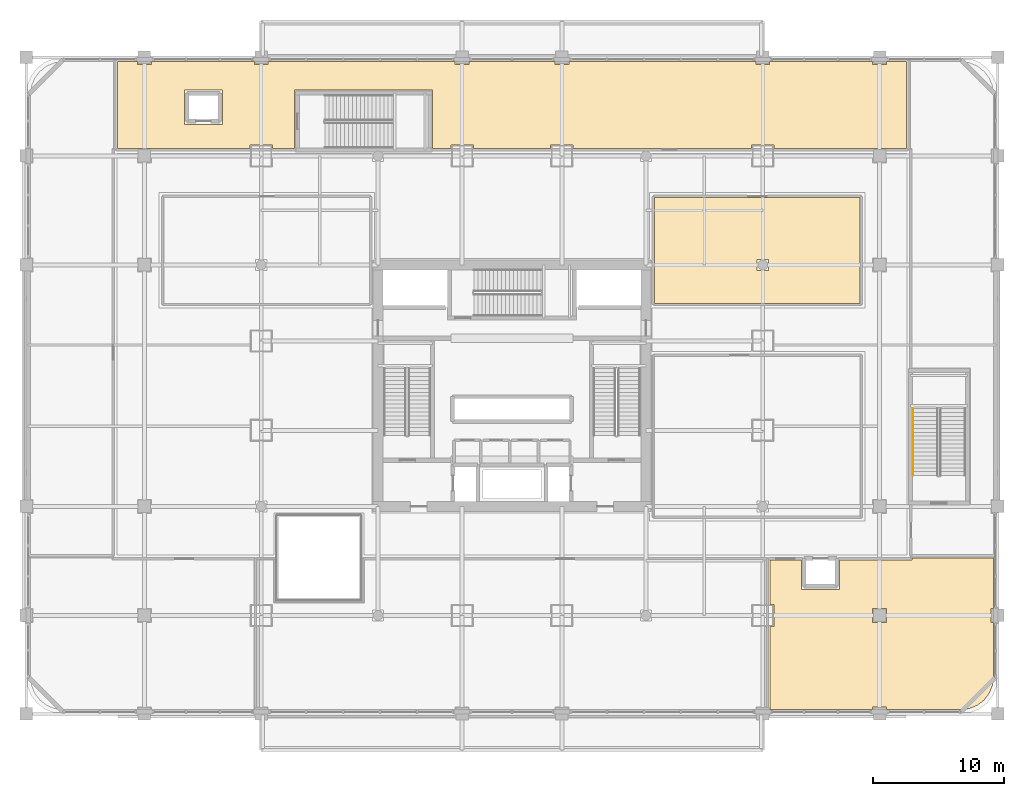
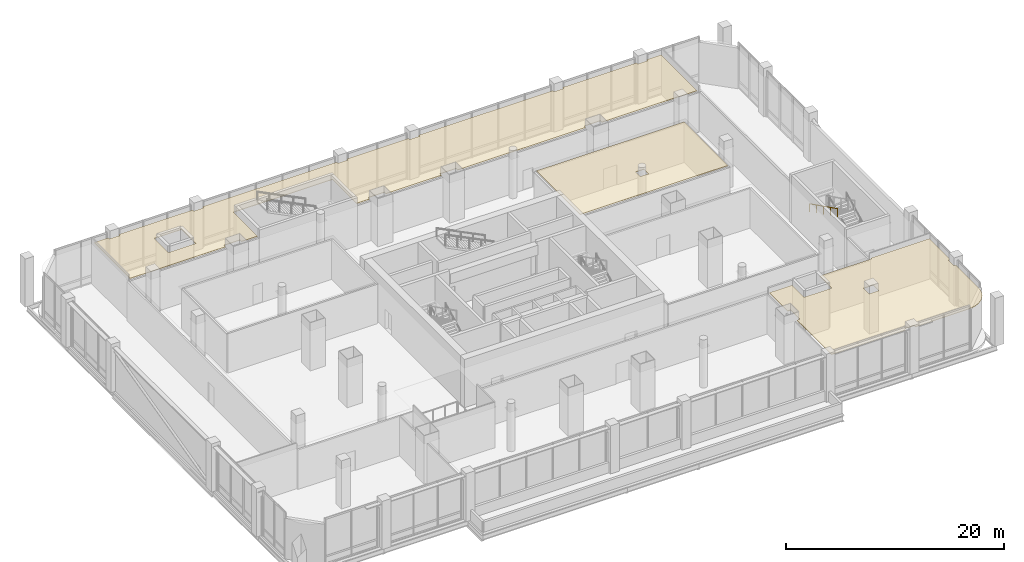
# One storey, part 41 of 43: 3 coverings, 1 railing.
"""IFC4 building model written with IfcOpenShell, lengths in metres."""

from ifc_helpers import new_model, si_unit, direction, frame, origin, origin_2d, place, context, subcontext, project, spatial, polyline, circle, outline, extrude, material, layer, layer_set, type_object, element, save


model = new_model("IFC4")

# Units and contexts
model_context = context("Model", 3, precision=1e-05, world=origin(), true_north=direction((0.0, 1.0)))
body_context = subcontext(model_context, "Body", "Model", "MODEL_VIEW")
ifc_project = project(units=[si_unit("LENGTHUNIT", "METRE"), si_unit("AREAUNIT", "SQUARE_METRE"), si_unit("VOLUMEUNIT", "CUBIC_METRE"), si_unit("PLANEANGLEUNIT", "RADIAN"), si_unit("MASSUNIT", "GRAM", prefix="KILO")], contexts=[model_context])

# Site, building, storey
site_placement = place(None, origin())
site = spatial("IfcSite", under=ifc_project, at=site_placement, CompositionType="ELEMENT")
building_placement = place(site_placement, origin())
building = spatial("IfcBuilding", under=site, at=building_placement, Name="Punatoya Terracotta Tower", CompositionType="ELEMENT")
storey_placement = place(building_placement, frame((0.0, 0.0, 6.0)))
storey = spatial("IfcBuildingStorey", under=building, at=storey_placement, Name="L01", CompositionType="ELEMENT", Elevation=6.0)

# Coverings
ifc_material_1 = material(Name="Acoustic Mineral Fibre Ceiling")
ifc_layer = layer(ifc_material_1, 0.06005859375)
ifc_layer_set = layer_set([ifc_layer], Name="Acoustic Mineral Fibre Ceiling")
covering_type = type_object("IfcCoveringType", Name="COV-CEIL-60", PredefinedType="CEILING", material=ifc_layer_set)
covering_1_placement = place(storey_placement, frame((0.0, 0.0, 4.510009765625)))
element("IfcCovering", 1, at=covering_1_placement, inside=storey, type_object=covering_type, Name="L01 South-East Waterfront Symposium Room Acoustic Ceiling", PredefinedType="CEILING", context=body_context, shape_type="SweptSolid", body=[
    extrude(outline(polyline([(35.438720703125, -24.345458984375), (35.95166015625, -23.95166015625), (36.345458984375, -23.438720703125), (36.5927734375, -22.84130859375), (36.679931640625, -22.178955078125), (36.679931640625, -18.02490234375), (36.47509765625, -18.02490234375), (36.47509765625, -16.97509765625), (36.679931640625, -16.97509765625), (36.679931640625, -13.139892578125), (30.47998046875, -13.139892578125), (30.47998046875, -13.280029296875), (24.9599609375, -13.280029296875), (24.9599609375, -15.510009765625), (22.0400390625, -15.510009765625), (22.0400390625, -13.280029296875), (19.639892578125, -13.280029296875), (19.639892578125, -16.64990234375), (19.949951171875, -16.64990234375), (19.949951171875, -18.35009765625), (19.639892578125, -18.35009765625), (19.639892578125, -24.679931640625), (27.47509765625, -24.679931640625), (27.47509765625, -24.47509765625), (28.52490234375, -24.47509765625), (28.52490234375, -24.679931640625), (34.178955078125, -24.679931640625), (34.84130859375, -24.5927734375), (35.438720703125, -24.345458984375)]), holes=[polyline([(28.52490234375, -16.97509765625), (28.52490234375, -18.02490234375), (27.47509765625, -18.02490234375), (27.47509765625, -16.97509765625), (28.52490234375, -16.97509765625)])]), origin(), (0.0, 0.0, 1.0), 0.06005859375),
])
covering_2_placement = place(storey_placement, frame((0.0, 0.0, 4.510009765625)))
element("IfcCovering", 2, at=covering_2_placement, inside=storey, type_object=covering_type, Name="L01 North Podium Administration Workplace Acoustic Ceiling", PredefinedType="CEILING", context=body_context, shape_type="SweptSolid", body=[
    extrude(outline(polyline([(-19.949951171875, 18.35009765625), (-18.25, 18.35009765625), (-18.25, 18.080078125), (-16.56005859375, 18.080078125), (-16.56005859375, 22.510009765625), (-6.0400390625, 22.510009765625), (-6.0400390625, 18.080078125), (-4.64990234375, 18.080078125), (-4.64990234375, 18.35009765625), (-2.949951171875, 18.35009765625), (-2.949951171875, 18.080078125), (2.949951171875, 18.080078125), (2.949951171875, 18.35009765625), (4.64990234375, 18.35009765625), (4.64990234375, 18.080078125), (18.25, 18.080078125), (18.25, 18.35009765625), (19.949951171875, 18.35009765625), (19.949951171875, 18.080078125), (30.06005859375, 18.080078125), (30.06005859375, 24.679931640625), (28.52490234375, 24.679931640625), (28.52490234375, 24.47509765625), (27.47509765625, 24.47509765625), (27.47509765625, 24.679931640625), (19.625, 24.679931640625), (19.625, 24.47509765625), (18.574951171875, 24.47509765625), (18.574951171875, 24.679931640625), (4.324951171875, 24.679931640625), (4.324951171875, 24.47509765625), (3.27490234375, 24.47509765625), (3.27490234375, 24.679931640625), (-3.27490234375, 24.679931640625), (-3.27490234375, 24.47509765625), (-4.324951171875, 24.47509765625), (-4.324951171875, 24.679931640625), (-18.574951171875, 24.679931640625), (-18.574951171875, 24.47509765625), (-19.625, 24.47509765625), (-19.625, 24.679931640625), (-27.47509765625, 24.679931640625), (-27.47509765625, 24.47509765625), (-28.52490234375, 24.47509765625), (-28.52490234375, 24.679931640625), (-30.06005859375, 24.679931640625), (-30.06005859375, 18.080078125), (-19.949951171875, 18.080078125), (-19.949951171875, 18.35009765625)]), holes=[polyline([(-22.0400390625, 19.889892578125), (-24.9599609375, 19.889892578125), (-24.9599609375, 22.510009765625), (-22.0400390625, 22.510009765625), (-22.0400390625, 19.889892578125)])]), origin(), (0.0, 0.0, 1.0), 0.06005859375),
])
covering_3_placement = place(storey_placement, frame((0.0, 0.0, 4.510009765625)))
element("IfcCovering", 3, at=covering_3_placement, inside=storey, type_object=covering_type, Name="L01 Press Briefing and Translation Studio Acoustic Ceiling", PredefinedType="CEILING", context=body_context, shape_type="SweptSolid", body=[
    extrude(outline(polyline([(10.860107421875, 14.320068359375), (10.860107421875, 6.280029296875), (26.52001953125, 6.280029296875), (26.52001953125, 14.320068359375), (10.860107421875, 14.320068359375)]), holes=[polyline([(19.52490234375, 8.77490234375), (18.675048828125, 8.77490234375), (18.675048828125, 9.625), (19.52490234375, 9.625), (19.52490234375, 8.77490234375)])]), origin(), (0.0, 0.0, 1.0), 0.06005859375),
])

# Railing
ifc_material_2 = material(Name="Steel S355", Category="steel")
railing_type = type_object("IfcRailingType", Name="RLG-HND-900", PredefinedType="HANDRAIL", material=ifc_material_2)
railing_placement = place(storey_placement, frame((30.550048828125, -1.75, 2.85009765625)))
element("IfcRailing", 4, at=railing_placement, inside=storey, type_object=railing_type, Name="L01 ST-P2 stair handrail 2", PredefinedType="HANDRAIL", context=body_context, shape_type="SweptSolid", body=[
    extrude(circle(Radius=0.02392578125, at=origin_2d()), frame((0.0, 0.0, 0.8759765625), z_axis=(0.0, -0.89444431709, 0.44717934168), x_axis=(1.0, 0.0, 0.0)), (0.0, 0.0, 1.0), 5.701904296875),
    extrude(circle(Radius=0.02099609375, at=origin_2d()), origin(), (0.0, 0.0, 1.0), 0.851806640625),
    extrude(circle(Radius=0.02099609375, at=origin_2d()), frame((0.0, -1.27490234375, 0.637451171875)), (0.0, 0.0, 1.0), 0.851806640625),
    extrude(circle(Radius=0.02099609375, at=origin_2d()), frame((0.0, -2.550048828125, 1.27490234375)), (0.0, 0.0, 1.0), 0.851806640625),
    extrude(circle(Radius=0.02099609375, at=origin_2d()), frame((0.0, -3.8251953125, 1.912353515625)), (0.0, 0.0, 1.0), 0.851806640625),
    extrude(circle(Radius=0.02099609375, at=origin_2d()), frame((0.0, -5.10009765625, 2.5498046875)), (0.0, 0.0, 1.0), 0.851806640625),
])

save(model, "model.ifc")
